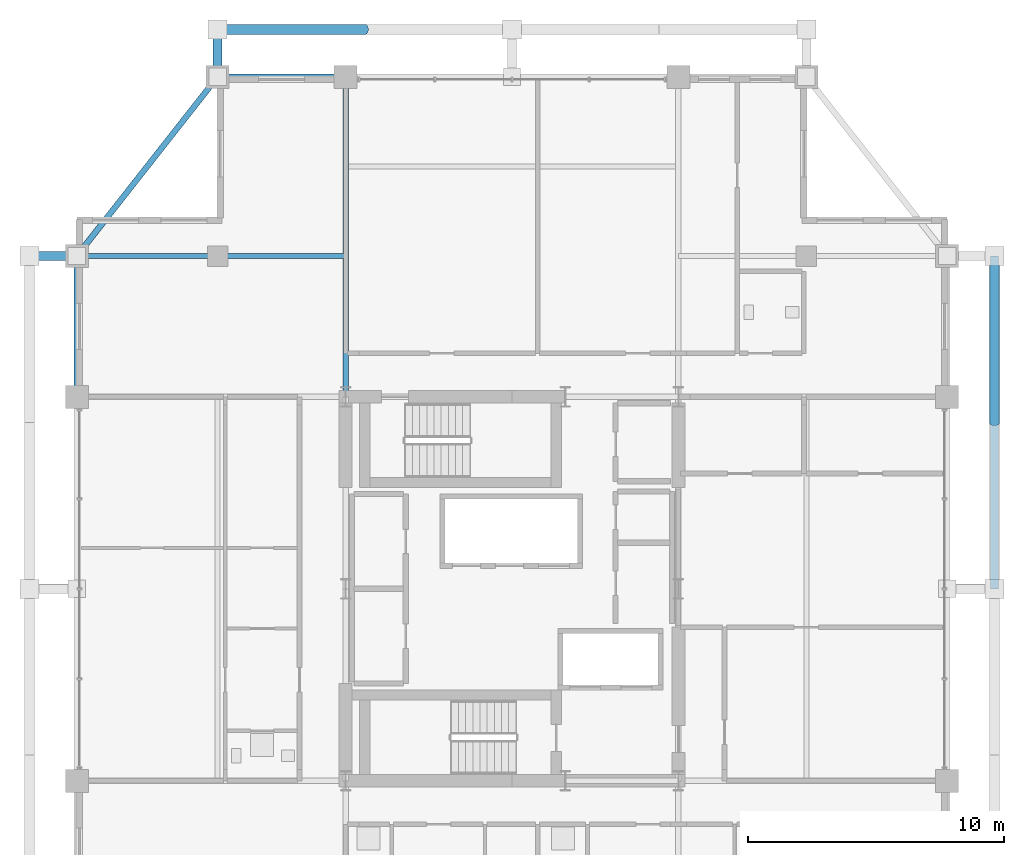
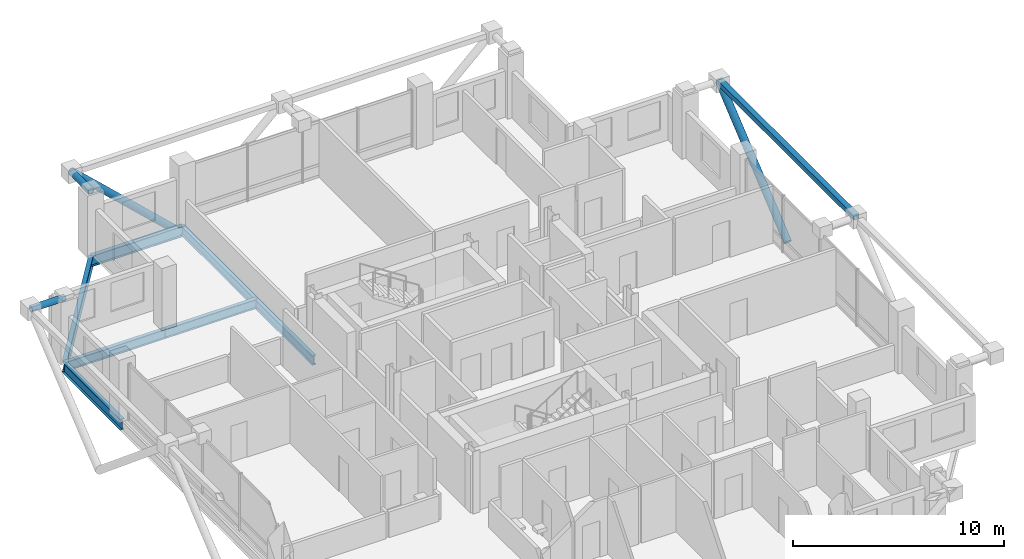
# One storey, part 14 of 25: 6 beams, 5 members.
"""IFC4 building model written with IfcOpenShell, lengths in metres."""

from ifc_helpers import new_model, si_unit, direction, frame, origin, origin_2d, place, context, subcontext, project, spatial, hollow_rectangle, hollow_circle, i_section, extrude, material, material_profile, profile_set, type_object, element, save


model = new_model("IFC4")

# Units and contexts
model_context = context("Model", 3, precision=1e-05, world=origin(), true_north=direction((0.0, 1.0)))
body_context = subcontext(model_context, "Body", "Model", "MODEL_VIEW")
ifc_project = project(units=[si_unit("LENGTHUNIT", "METRE"), si_unit("AREAUNIT", "SQUARE_METRE"), si_unit("VOLUMEUNIT", "CUBIC_METRE"), si_unit("PLANEANGLEUNIT", "RADIAN"), si_unit("MASSUNIT", "GRAM", prefix="KILO")], contexts=[model_context])

# Site, building, storey
site_placement = place(None, origin())
site = spatial("IfcSite", under=ifc_project, at=site_placement, CompositionType="ELEMENT")
building_placement = place(site_placement, origin())
building = spatial("IfcBuilding", under=site, at=building_placement, Name="Barlavira Tower and Art Museum", CompositionType="ELEMENT")
storey_placement = place(building_placement, frame((0.0, 0.0, 301.5)))
storey = spatial("IfcBuildingStorey", under=building, at=storey_placement, Name="L79", CompositionType="ELEMENT", Elevation=301.5)

# Members
ifc_material = material(Name="Steel S355", Category="steel")
ifc_material_profile_1 = material_profile(ifc_material, hollow_circle(Radius=0.203125, WallThickness=0.01611328125, at=origin_2d()), Name="CHS 406.4x16.0")
ifc_profile_set_1 = profile_set([ifc_material_profile_1], Name="Steel S355")
member_type_1 = type_object("IfcMemberType", Name="Pale-Metal Exoskeleton Diagrid Tube CHS 406x16 Steel S355", PredefinedType="BRACE", material=ifc_profile_set_1)
member_1_placement = place(storey_placement, frame((-5.75, 21.85009765625, -1.919921875), z_axis=(-0.728950095515, 0.0, 0.684566839869), x_axis=(0.0, -1.0, 0.0)))
element("IfcMember", 1, at=member_1_placement, inside=storey, type_object=member_type_1, Name="L79 Exoskeleton Diagrid Tube N", PredefinedType="BRACE", context=body_context, shape_type="SweptSolid", body=[
    extrude(hollow_circle(Radius=0.203125, WallThickness=0.01611328125, at=origin_2d()), origin(), (0.0, 0.0, 1.0), 7.887939453125),
])
member_2_placement = place(storey_placement, frame((18.85009765625, 6.5, -1.919921875), z_axis=(0.0, 0.769196053329, 0.639012857104), x_axis=(-1.0, 0.0, 0.0)))
element("IfcMember", 2, at=member_2_placement, inside=storey, type_object=member_type_1, Name="L79 Exoskeleton Diagrid Tube E", PredefinedType="BRACE", context=body_context, shape_type="SweptSolid", body=[
    extrude(hollow_circle(Radius=0.203125, WallThickness=0.01611328125, at=origin_2d()), origin(), (0.0, 0.0, 1.0), 8.450439453125),
])
ifc_material_profile_2 = material_profile(ifc_material, hollow_circle(Radius=0.177734375, WallThickness=0.01611328125, at=origin_2d()), Name="CHS 355.6x16.0")
ifc_profile_set_2 = profile_set([ifc_material_profile_2], Name="Steel S355")
member_type_2 = type_object("IfcMemberType", Name="Pale-Metal Exoskeleton Tie Strut CHS 356x16 Steel S355", PredefinedType="STRUT", material=ifc_profile_set_2)
for number, where, z_axis, x_axis, name in (
    (3, (-11.5, 21.85009765625, 3.47998046875), (0.0, -1.0, 0.0), (1.0, 0.0, 0.0), "L79 Exoskeleton Top Tie Strut N1"),
    (4, (-18.85009765625, 13.0, 3.47998046875), (1.0, 0.0, 0.0), (0.0, 1.0, 0.0), "L79 Exoskeleton Top Tie Strut W3"),
):
    element("IfcMember", number, at=place(storey_placement, frame(where, z_axis=z_axis, x_axis=x_axis)), inside=storey, type_object=member_type_2, Name=name, PredefinedType="STRUT", context=body_context, shape_type="SweptSolid", body=[
        extrude(hollow_circle(Radius=0.177734375, WallThickness=0.01611328125, at=origin_2d()), origin(), (0.0, 0.0, 1.0), 1.85009765625),
    ])
ifc_material_profile_3 = material_profile(ifc_material, hollow_rectangle(XDim=0.300048828125, YDim=0.300048828125, WallThickness=0.01611328125, at=origin_2d()), Name="SHS 300x300x16.0")
ifc_profile_set_3 = profile_set([ifc_material_profile_3], Name="Steel S355")
member_type_3 = type_object("IfcMemberType", Name="Pale-Metal Upper Ring Strut SHS 300x300x16 Steel S355", PredefinedType="STRUT", material=ifc_profile_set_3)
member_3_placement = place(storey_placement, frame((18.85009765625, 0.0, 3.47998046875), z_axis=(0.0, 1.0, 0.0), x_axis=(-1.0, 0.0, 0.0)))
element("IfcMember", 5, at=member_3_placement, inside=storey, type_object=member_type_3, Name="L79 Exoskeleton Top Ring Strut E", PredefinedType="STRUT", context=body_context, shape_type="SweptSolid", body=[
    extrude(hollow_rectangle(XDim=0.300048828125, YDim=0.300048828125, WallThickness=0.01611328125, at=origin_2d()), origin(), (0.0, 0.0, 1.0), 13.0),
])

# Beams
ifc_material_profile_4 = material_profile(ifc_material, i_section(OverallWidth=0.22998046875, OverallDepth=0.616943359375, WebThickness=0.01318359375, FlangeThickness=0.022216796875, at=origin_2d()), Name="W610x140.0")
ifc_profile_set_4 = profile_set([ifc_material_profile_4], Name="Steel S355")
beam_type_1 = type_object("IfcBeamType", Name="Upper Shaft Spandrel Edge Beam W610x140 Steel S355", PredefinedType="SPANDREL", material=ifc_profile_set_4)
beam_1_placement = place(storey_placement, frame((-11.5, 20.0, -0.528564453125), z_axis=(1.0, 0.0, 0.0), x_axis=(0.0, 1.0, 0.0)))
element("IfcBeam", 6, at=beam_1_placement, inside=storey, type_object=beam_type_1, Name="L79 Spandrel 11", PredefinedType="SPANDREL", context=body_context, shape_type="SweptSolid", body=[
    extrude(i_section(OverallWidth=0.22998046875, OverallDepth=0.616943359375, WebThickness=0.01318359375, FlangeThickness=0.022216796875, at=origin_2d()), origin(), (0.0, 0.0, 1.0), 5.0),
])
beam_2_placement = place(storey_placement, frame((-11.5, 20.0, -0.528564453125), z_axis=(-0.617821551932, -0.786318338822, 0.0), x_axis=(0.786318338822, -0.617821551932, 0.0)))
element("IfcBeam", 7, at=beam_2_placement, inside=storey, type_object=beam_type_1, Name="L79 Spandrel 12", PredefinedType="SPANDREL", context=body_context, shape_type="SweptSolid", body=[
    extrude(i_section(OverallWidth=0.22998046875, OverallDepth=0.616943359375, WebThickness=0.01318359375, FlangeThickness=0.022216796875, at=origin_2d()), origin(), (0.0, 0.0, 1.0), 8.90234375),
])
beam_3_placement = place(storey_placement, frame((-17.0, 7.5, -0.528564453125), z_axis=(0.0, 1.0, 0.0), x_axis=(-1.0, 0.0, 0.0)))
element("IfcBeam", 8, at=beam_3_placement, inside=storey, type_object=beam_type_1, Name="L79 Spandrel 13", PredefinedType="SPANDREL", context=body_context, shape_type="SweptSolid", body=[
    extrude(i_section(OverallWidth=0.22998046875, OverallDepth=0.616943359375, WebThickness=0.01318359375, FlangeThickness=0.022216796875, at=origin_2d()), origin(), (0.0, 0.0, 1.0), 5.5),
])
ifc_material_profile_5 = material_profile(ifc_material, i_section(OverallWidth=0.2109375, OverallDepth=0.5390625, WebThickness=0.01171875, FlangeThickness=0.018798828125, at=origin_2d()), Name="W530x109.0")
ifc_profile_set_5 = profile_set([ifc_material_profile_5], Name="Steel S355")
beam_type_2 = type_object("IfcBeamType", Name="Zone 3-4 Primary Floor Girder W530x109 Steel S355", PredefinedType="BEAM", material=ifc_profile_set_5)
beam_4_placement = place(storey_placement, frame((-6.5, 7.5, -0.489501953125), z_axis=(0.0, 1.0, 0.0), x_axis=(-1.0, 0.0, 0.0)))
element("IfcBeam", 9, at=beam_4_placement, inside=storey, type_object=beam_type_2, Name="L79 Girder R-N1", PredefinedType="BEAM", context=body_context, shape_type="SweptSolid", body=[
    extrude(i_section(OverallWidth=0.2109375, OverallDepth=0.5390625, WebThickness=0.01171875, FlangeThickness=0.018798828125, at=origin_2d()), origin(), (0.0, 0.0, 1.0), 12.5),
])
beam_5_placement = place(storey_placement, frame((-17.0, 13.0, -0.489501953125), z_axis=(1.0, 0.0, 0.0), x_axis=(0.0, 1.0, 0.0)))
element("IfcBeam", 10, at=beam_5_placement, inside=storey, type_object=beam_type_2, Name="L79 Girder I-N1", PredefinedType="BEAM", context=body_context, shape_type="SweptSolid", body=[
    extrude(i_section(OverallWidth=0.2109375, OverallDepth=0.5390625, WebThickness=0.01171875, FlangeThickness=0.018798828125, at=origin_2d()), origin(), (0.0, 0.0, 1.0), 5.5),
])
beam_6_placement = place(storey_placement, frame((-11.5, 13.0, -0.489501953125), z_axis=(1.0, 0.0, 0.0), x_axis=(0.0, 1.0, 0.0)))
element("IfcBeam", 11, at=beam_6_placement, inside=storey, type_object=beam_type_2, Name="L79 Girder I-N2", PredefinedType="BEAM", context=body_context, shape_type="SweptSolid", body=[
    extrude(i_section(OverallWidth=0.2109375, OverallDepth=0.5390625, WebThickness=0.01171875, FlangeThickness=0.018798828125, at=origin_2d()), origin(), (0.0, 0.0, 1.0), 5.0),
])

save(model, "model.ifc")
